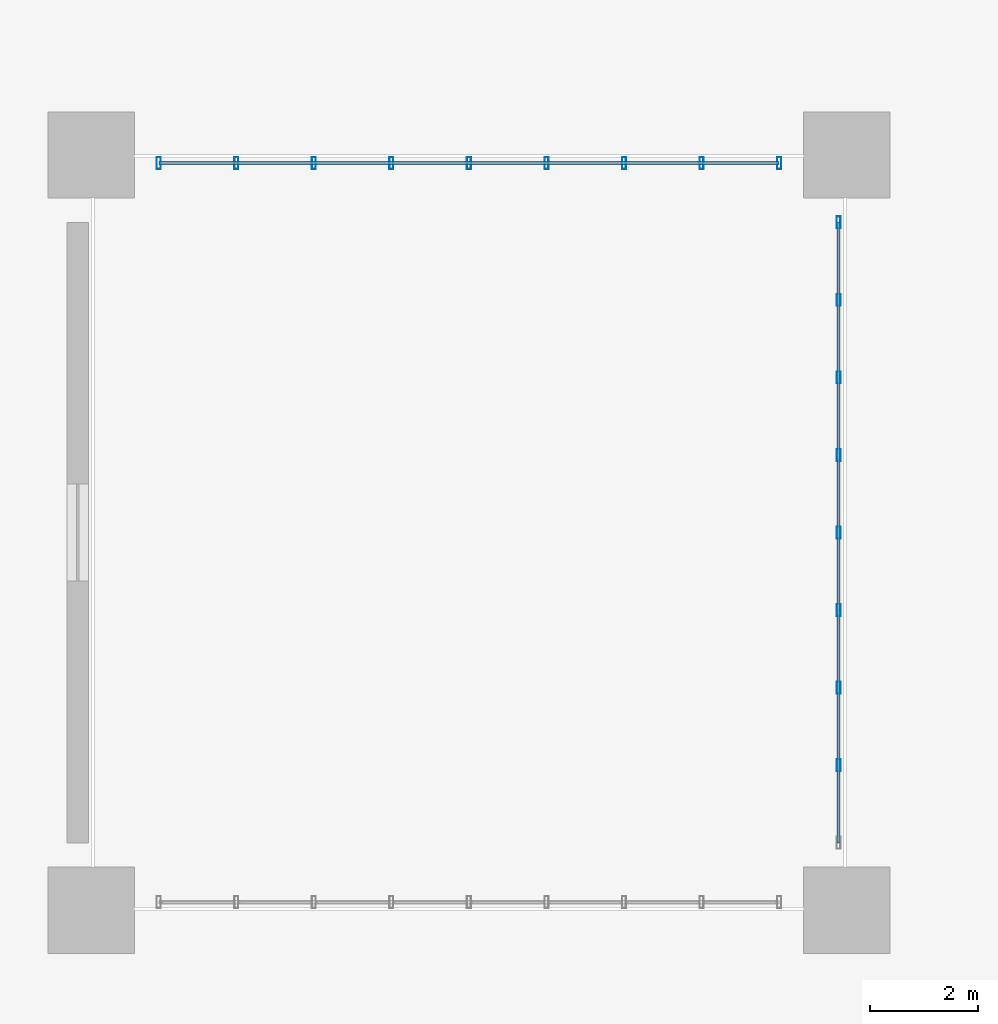
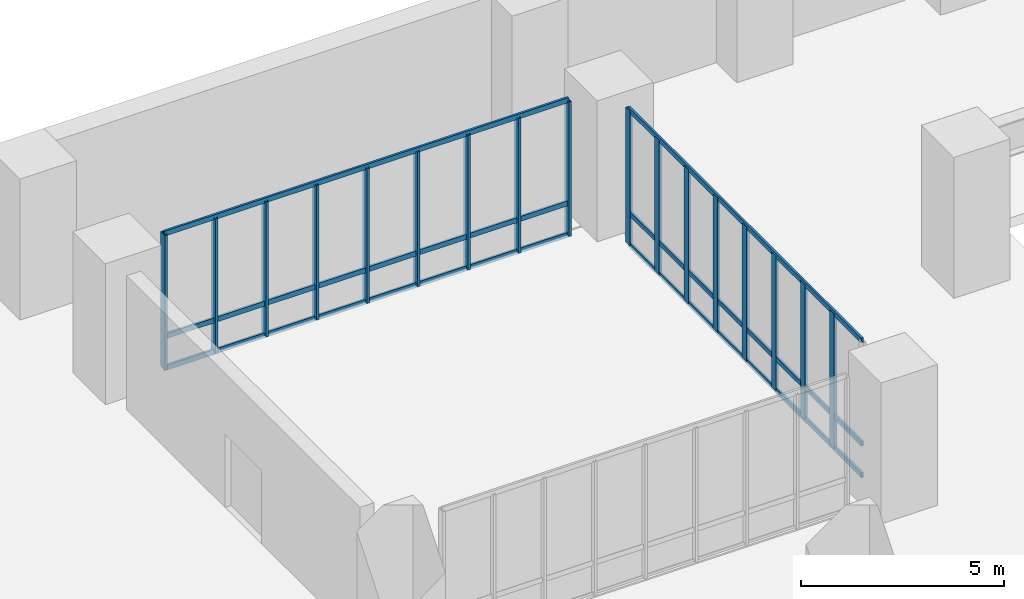
# One storey, part 11 of 18: 23 members, 2 elements without a shape of their own.
"""IFC4 building model written with IfcOpenShell, lengths in metres."""

from ifc_helpers import new_model, si_unit, direction, frame, origin, origin_2d, place, context, subcontext, project, spatial, hollow_rectangle, extrude, source, transform, mapped, material, layer, layer_set, material_profile, profile_set, type_object, element, aggregate, save


model = new_model("IFC4")

# Units and contexts
model_context = context("Model", 3, precision=1e-05, world=origin(), true_north=direction((0.0, 1.0)))
body_context = subcontext(model_context, "Body", "Model", "MODEL_VIEW")
ifc_project = project(units=[si_unit("LENGTHUNIT", "METRE"), si_unit("AREAUNIT", "SQUARE_METRE"), si_unit("VOLUMEUNIT", "CUBIC_METRE"), si_unit("PLANEANGLEUNIT", "RADIAN"), si_unit("MASSUNIT", "GRAM", prefix="KILO")], contexts=[model_context])

# Site, building, storey
site_placement = place(None, origin())
site = spatial("IfcSite", under=ifc_project, at=site_placement, CompositionType="ELEMENT")
building_placement = place(site_placement, origin())
building = spatial("IfcBuilding", under=site, at=building_placement, Name="Kharzan Plaza Tower", CompositionType="ELEMENT")
storey_placement = place(building_placement, frame((0.0, 0.0, -4.5)))
storey = spatial("IfcBuildingStorey", under=building, at=storey_placement, Name="B01", CompositionType="ELEMENT", Elevation=-4.5)

# Curtain wall, members
ifc_material_1 = material(Name="Unitised Bronze-Anodized Aluminium and Low-E Glass", Category="aluminium")
ifc_layer = layer(ifc_material_1, 0.199951171875)
ifc_layer_set = layer_set([ifc_layer], Name="Unitised Bronze-Anodized Aluminium and Low-E Glass")
curtain_wall_type = type_object("IfcCurtainWallType", Name="CW-PLAZA-2", PredefinedType="NOTDEFINED", material=ifc_layer_set)
curtain_wall_1_placement = place(storey_placement, origin())
curtain_wall_1 = element("IfcCurtainWall", 1, at=curtain_wall_1_placement, inside=storey, type_object=curtain_wall_type, Name="B01 Oculus Courtyard Ring Curtain Wall E", PredefinedType="NOTDEFINED")
ifc_material_2 = material(Name="Anodized Bronze Aluminium", Category="aluminium")
ifc_material_profile_1 = material_profile(ifc_material_2, hollow_rectangle(XDim=0.074951171875, YDim=0.219970703125, WallThickness=0.00390625, at=origin_2d()), Name="ALU-M220x75x4")
ifc_profile_set_1 = profile_set([ifc_material_profile_1], Name="Anodized Bronze Aluminium")
member_type_1 = type_object("IfcMemberType", Name="MEM-CW-MUL200", PredefinedType="MULLION", material=ifc_profile_set_1)
shared_shape_1 = source(origin(), body_context, "Body", "SweptSolid", [
    extrude(hollow_rectangle(XDim=0.074951171875, YDim=0.219970703125, WallThickness=0.00390625, at=origin_2d()), origin(), (0.0, 0.0, 1.0), 4.050048828125),
])
member_1_placement = place(storey_placement, frame((51.85009765625, 33.6875, 0.0), z_axis=(0.0, 0.0, 1.0), x_axis=(1.0, 0.0, 0.0)))
member_1 = element("IfcMember", 2, at=member_1_placement, type_object=member_type_1, Name="B01 Curtain-Wall Mullion 01", PredefinedType="MULLION", context=body_context, shape_type="MappedRepresentation", body=[
    mapped(shared_shape_1, transform((0.0, 0.0, 0.0), x_axis=(1.0, 0.0, 0.0), y_axis=(0.0, 1.0, 0.0), z_axis=(0.0, 0.0, 1.0))),
])
member_2_placement = place(storey_placement, frame((51.85009765625, 35.125, 0.0), z_axis=(0.0, 0.0, 1.0), x_axis=(1.0, 0.0, 0.0)))
member_2 = element("IfcMember", 3, at=member_2_placement, type_object=member_type_1, Name="B01 Curtain-Wall Mullion 02", PredefinedType="MULLION", context=body_context, shape_type="MappedRepresentation", body=[
    mapped(shared_shape_1, transform((0.0, 0.0, 0.0), x_axis=(1.0, 0.0, 0.0), y_axis=(0.0, 1.0, 0.0), z_axis=(0.0, 0.0, 1.0))),
])
member_3_placement = place(storey_placement, frame((51.85009765625, 36.5625, 0.0), z_axis=(0.0, 0.0, 1.0), x_axis=(1.0, 0.0, 0.0)))
member_3 = element("IfcMember", 4, at=member_3_placement, type_object=member_type_1, Name="B01 Curtain-Wall Mullion 03", PredefinedType="MULLION", context=body_context, shape_type="MappedRepresentation", body=[
    mapped(shared_shape_1, transform((0.0, 0.0, 0.0), x_axis=(1.0, 0.0, 0.0), y_axis=(0.0, 1.0, 0.0), z_axis=(0.0, 0.0, 1.0))),
])
member_4_placement = place(storey_placement, frame((51.85009765625, 38.0, 0.0), z_axis=(0.0, 0.0, 1.0), x_axis=(1.0, 0.0, 0.0)))
member_4 = element("IfcMember", 5, at=member_4_placement, type_object=member_type_1, Name="B01 Curtain-Wall Mullion 04", PredefinedType="MULLION", context=body_context, shape_type="MappedRepresentation", body=[
    mapped(shared_shape_1, transform((0.0, 0.0, 0.0), x_axis=(1.0, 0.0, 0.0), y_axis=(0.0, 1.0, 0.0), z_axis=(0.0, 0.0, 1.0))),
])
member_5_placement = place(storey_placement, frame((51.85009765625, 39.4375, 0.0), z_axis=(0.0, 0.0, 1.0), x_axis=(1.0, 0.0, 0.0)))
member_5 = element("IfcMember", 6, at=member_5_placement, type_object=member_type_1, Name="B01 Curtain-Wall Mullion 05", PredefinedType="MULLION", context=body_context, shape_type="MappedRepresentation", body=[
    mapped(shared_shape_1, transform((0.0, 0.0, 0.0), x_axis=(1.0, 0.0, 0.0), y_axis=(0.0, 1.0, 0.0), z_axis=(0.0, 0.0, 1.0))),
])
member_6_placement = place(storey_placement, frame((51.85009765625, 40.875, 0.0), z_axis=(0.0, 0.0, 1.0), x_axis=(1.0, 0.0, 0.0)))
member_6 = element("IfcMember", 7, at=member_6_placement, type_object=member_type_1, Name="B01 Curtain-Wall Mullion 06", PredefinedType="MULLION", context=body_context, shape_type="MappedRepresentation", body=[
    mapped(shared_shape_1, transform((0.0, 0.0, 0.0), x_axis=(1.0, 0.0, 0.0), y_axis=(0.0, 1.0, 0.0), z_axis=(0.0, 0.0, 1.0))),
])
member_7_placement = place(storey_placement, frame((51.85009765625, 42.3125, 0.0), z_axis=(0.0, 0.0, 1.0), x_axis=(1.0, 0.0, 0.0)))
member_7 = element("IfcMember", 8, at=member_7_placement, type_object=member_type_1, Name="B01 Curtain-Wall Mullion 07", PredefinedType="MULLION", context=body_context, shape_type="MappedRepresentation", body=[
    mapped(shared_shape_1, transform((0.0, 0.0, 0.0), x_axis=(1.0, 0.0, 0.0), y_axis=(0.0, 1.0, 0.0), z_axis=(0.0, 0.0, 1.0))),
])
member_8_placement = place(storey_placement, frame((51.85009765625, 43.75, 0.0), z_axis=(0.0, 0.0, 1.0), x_axis=(1.0, 0.0, 0.0)))
member_8 = element("IfcMember", 9, at=member_8_placement, type_object=member_type_1, Name="B01 Curtain-Wall Mullion 08", PredefinedType="MULLION", context=body_context, shape_type="MappedRepresentation", body=[
    mapped(shared_shape_1, transform((0.0, 0.0, 0.0), x_axis=(1.0, 0.0, 0.0), y_axis=(0.0, 1.0, 0.0), z_axis=(0.0, 0.0, 1.0))),
])

curtain_wall_2_placement = place(storey_placement, origin())
curtain_wall_2 = element("IfcCurtainWall", 10, at=curtain_wall_2_placement, inside=storey, type_object=curtain_wall_type, Name="B01 Oculus Courtyard Ring Curtain Wall N", PredefinedType="NOTDEFINED")
member_9_placement = place(storey_placement, frame((50.75, 44.85009765625, 0.0), z_axis=(0.0, 0.0, 1.0), x_axis=(1.0, 0.0, 0.0)))
member_9 = element("IfcMember", 11, at=member_9_placement, type_object=member_type_1, Name="B01 Curtain-Wall Mullion 00", PredefinedType="MULLION", context=body_context, shape_type="MappedRepresentation", body=[
    mapped(shared_shape_1, transform((0.0, 0.0, 0.0), x_axis=(1.0, 0.0, 0.0), y_axis=(0.0, 1.0, 0.0), z_axis=(0.0, 0.0, 1.0))),
])
member_10_placement = place(storey_placement, frame((49.3125, 44.85009765625, 0.0), z_axis=(0.0, 0.0, 1.0), x_axis=(1.0, 0.0, 0.0)))
member_10 = element("IfcMember", 12, at=member_10_placement, type_object=member_type_1, Name="B01 Curtain-Wall Mullion 01", PredefinedType="MULLION", context=body_context, shape_type="MappedRepresentation", body=[
    mapped(shared_shape_1, transform((0.0, 0.0, 0.0), x_axis=(1.0, 0.0, 0.0), y_axis=(0.0, 1.0, 0.0), z_axis=(0.0, 0.0, 1.0))),
])
member_11_placement = place(storey_placement, frame((47.875, 44.85009765625, 0.0), z_axis=(0.0, 0.0, 1.0), x_axis=(1.0, 0.0, 0.0)))
member_11 = element("IfcMember", 13, at=member_11_placement, type_object=member_type_1, Name="B01 Curtain-Wall Mullion 02", PredefinedType="MULLION", context=body_context, shape_type="MappedRepresentation", body=[
    mapped(shared_shape_1, transform((0.0, 0.0, 0.0), x_axis=(1.0, 0.0, 0.0), y_axis=(0.0, 1.0, 0.0), z_axis=(0.0, 0.0, 1.0))),
])
member_12_placement = place(storey_placement, frame((46.4375, 44.85009765625, 0.0), z_axis=(0.0, 0.0, 1.0), x_axis=(1.0, 0.0, 0.0)))
member_12 = element("IfcMember", 14, at=member_12_placement, type_object=member_type_1, Name="B01 Curtain-Wall Mullion 03", PredefinedType="MULLION", context=body_context, shape_type="MappedRepresentation", body=[
    mapped(shared_shape_1, transform((0.0, 0.0, 0.0), x_axis=(1.0, 0.0, 0.0), y_axis=(0.0, 1.0, 0.0), z_axis=(0.0, 0.0, 1.0))),
])
member_13_placement = place(storey_placement, frame((45.0, 44.85009765625, 0.0), z_axis=(0.0, 0.0, 1.0), x_axis=(1.0, 0.0, 0.0)))
member_13 = element("IfcMember", 15, at=member_13_placement, type_object=member_type_1, Name="B01 Curtain-Wall Mullion 04", PredefinedType="MULLION", context=body_context, shape_type="MappedRepresentation", body=[
    mapped(shared_shape_1, transform((0.0, 0.0, 0.0), x_axis=(1.0, 0.0, 0.0), y_axis=(0.0, 1.0, 0.0), z_axis=(0.0, 0.0, 1.0))),
])
member_14_placement = place(storey_placement, frame((43.5625, 44.85009765625, 0.0), z_axis=(0.0, 0.0, 1.0), x_axis=(1.0, 0.0, 0.0)))
member_14 = element("IfcMember", 16, at=member_14_placement, type_object=member_type_1, Name="B01 Curtain-Wall Mullion 05", PredefinedType="MULLION", context=body_context, shape_type="MappedRepresentation", body=[
    mapped(shared_shape_1, transform((0.0, 0.0, 0.0), x_axis=(1.0, 0.0, 0.0), y_axis=(0.0, 1.0, 0.0), z_axis=(0.0, 0.0, 1.0))),
])
member_15_placement = place(storey_placement, frame((42.125, 44.85009765625, 0.0), z_axis=(0.0, 0.0, 1.0), x_axis=(1.0, 0.0, 0.0)))
member_15 = element("IfcMember", 17, at=member_15_placement, type_object=member_type_1, Name="B01 Curtain-Wall Mullion 06", PredefinedType="MULLION", context=body_context, shape_type="MappedRepresentation", body=[
    mapped(shared_shape_1, transform((0.0, 0.0, 0.0), x_axis=(1.0, 0.0, 0.0), y_axis=(0.0, 1.0, 0.0), z_axis=(0.0, 0.0, 1.0))),
])
member_16_placement = place(storey_placement, frame((40.6875, 44.85009765625, 0.0), z_axis=(0.0, 0.0, 1.0), x_axis=(1.0, 0.0, 0.0)))
member_16 = element("IfcMember", 18, at=member_16_placement, type_object=member_type_1, Name="B01 Curtain-Wall Mullion 07", PredefinedType="MULLION", context=body_context, shape_type="MappedRepresentation", body=[
    mapped(shared_shape_1, transform((0.0, 0.0, 0.0), x_axis=(1.0, 0.0, 0.0), y_axis=(0.0, 1.0, 0.0), z_axis=(0.0, 0.0, 1.0))),
])
member_17_placement = place(storey_placement, frame((39.25, 44.85009765625, 0.0), z_axis=(0.0, 0.0, 1.0), x_axis=(1.0, 0.0, 0.0)))
member_17 = element("IfcMember", 19, at=member_17_placement, type_object=member_type_1, Name="B01 Curtain-Wall Mullion 08", PredefinedType="MULLION", context=body_context, shape_type="MappedRepresentation", body=[
    mapped(shared_shape_1, transform((0.0, 0.0, 0.0), x_axis=(1.0, 0.0, 0.0), y_axis=(0.0, 1.0, 0.0), z_axis=(0.0, 0.0, 1.0))),
])

# Member
ifc_material_profile_2 = material_profile(ifc_material_2, hollow_rectangle(XDim=0.06005859375, YDim=0.14990234375, WallThickness=0.00341796875, at=origin_2d()), Name="ALU-T150x60x3.5")
ifc_profile_set_2 = profile_set([ifc_material_profile_2], Name="Anodized Bronze Aluminium")
member_type_2 = type_object("IfcMemberType", Name="MEM-CW-TRN150", PredefinedType="USERDEFINED", material=ifc_profile_set_2)
shared_shape_2 = source(origin(), body_context, "Body", "SweptSolid", [
    extrude(hollow_rectangle(XDim=0.06005859375, YDim=0.14990234375, WallThickness=0.00341796875, at=origin_2d()), origin(), (0.0, 0.0, 1.0), 11.5),
])
member_18_placement = place(storey_placement, frame((51.85009765625, 32.25, 0.0), z_axis=(0.0, 1.0, 0.0), x_axis=(-1.0, 0.0, 0.0)))
member_18 = element("IfcMember", 20, at=member_18_placement, type_object=member_type_2, Name="B01 Curtain-Wall Transom 1", ObjectType="TRANSOM", PredefinedType="USERDEFINED", context=body_context, shape_type="MappedRepresentation", body=[
    mapped(shared_shape_2, transform((0.0, 0.0, 0.0), x_axis=(1.0, 0.0, 0.0), y_axis=(0.0, 1.0, 0.0), z_axis=(0.0, 0.0, 1.0))),
])

member_19_placement = place(storey_placement, frame((51.85009765625, 32.25, 0.949951171875), z_axis=(0.0, 1.0, 0.0), x_axis=(-1.0, 0.0, 0.0)))
member_19 = element("IfcMember", 21, at=member_19_placement, type_object=member_type_2, Name="B01 Curtain-Wall Transom 2", ObjectType="TRANSOM", PredefinedType="USERDEFINED", context=body_context, shape_type="MappedRepresentation", body=[
    mapped(shared_shape_2, transform((0.0, 0.0, 0.0), x_axis=(1.0, 0.0, 0.0), y_axis=(0.0, 1.0, 0.0), z_axis=(0.0, 0.0, 1.0))),
])

member_20_placement = place(storey_placement, frame((51.85009765625, 32.25, 4.050048828125), z_axis=(0.0, 1.0, 0.0), x_axis=(-1.0, 0.0, 0.0)))
member_20 = element("IfcMember", 22, at=member_20_placement, type_object=member_type_2, Name="B01 Curtain-Wall Transom 3", ObjectType="TRANSOM", PredefinedType="USERDEFINED", context=body_context, shape_type="MappedRepresentation", body=[
    mapped(shared_shape_2, transform((0.0, 0.0, 0.0), x_axis=(1.0, 0.0, 0.0), y_axis=(0.0, 1.0, 0.0), z_axis=(0.0, 0.0, 1.0))),
])

aggregate(curtain_wall_1, [member_1, member_2, member_3, member_4, member_5, member_6, member_7, member_8, member_18, member_19, member_20])

member_21_placement = place(storey_placement, frame((50.75, 44.85009765625, 0.0), z_axis=(-1.0, 0.0, 0.0), x_axis=(0.0, -1.0, 0.0)))
member_21 = element("IfcMember", 23, at=member_21_placement, type_object=member_type_2, Name="B01 Curtain-Wall Transom 1", ObjectType="TRANSOM", PredefinedType="USERDEFINED", context=body_context, shape_type="MappedRepresentation", body=[
    mapped(shared_shape_2, transform((0.0, 0.0, 0.0), x_axis=(1.0, 0.0, 0.0), y_axis=(0.0, 1.0, 0.0), z_axis=(0.0, 0.0, 1.0))),
])

member_22_placement = place(storey_placement, frame((50.75, 44.85009765625, 0.949951171875), z_axis=(-1.0, 0.0, 0.0), x_axis=(0.0, -1.0, 0.0)))
member_22 = element("IfcMember", 24, at=member_22_placement, type_object=member_type_2, Name="B01 Curtain-Wall Transom 2", ObjectType="TRANSOM", PredefinedType="USERDEFINED", context=body_context, shape_type="MappedRepresentation", body=[
    mapped(shared_shape_2, transform((0.0, 0.0, 0.0), x_axis=(1.0, 0.0, 0.0), y_axis=(0.0, 1.0, 0.0), z_axis=(0.0, 0.0, 1.0))),
])

member_23_placement = place(storey_placement, frame((50.75, 44.85009765625, 4.050048828125), z_axis=(-1.0, 0.0, 0.0), x_axis=(0.0, -1.0, 0.0)))
member_23 = element("IfcMember", 25, at=member_23_placement, type_object=member_type_2, Name="B01 Curtain-Wall Transom 3", ObjectType="TRANSOM", PredefinedType="USERDEFINED", context=body_context, shape_type="MappedRepresentation", body=[
    mapped(shared_shape_2, transform((0.0, 0.0, 0.0), x_axis=(1.0, 0.0, 0.0), y_axis=(0.0, 1.0, 0.0), z_axis=(0.0, 0.0, 1.0))),
])

aggregate(curtain_wall_2, [member_9, member_10, member_11, member_12, member_13, member_14, member_15, member_16, member_17, member_21, member_22, member_23])

save(model, "model.ifc")
